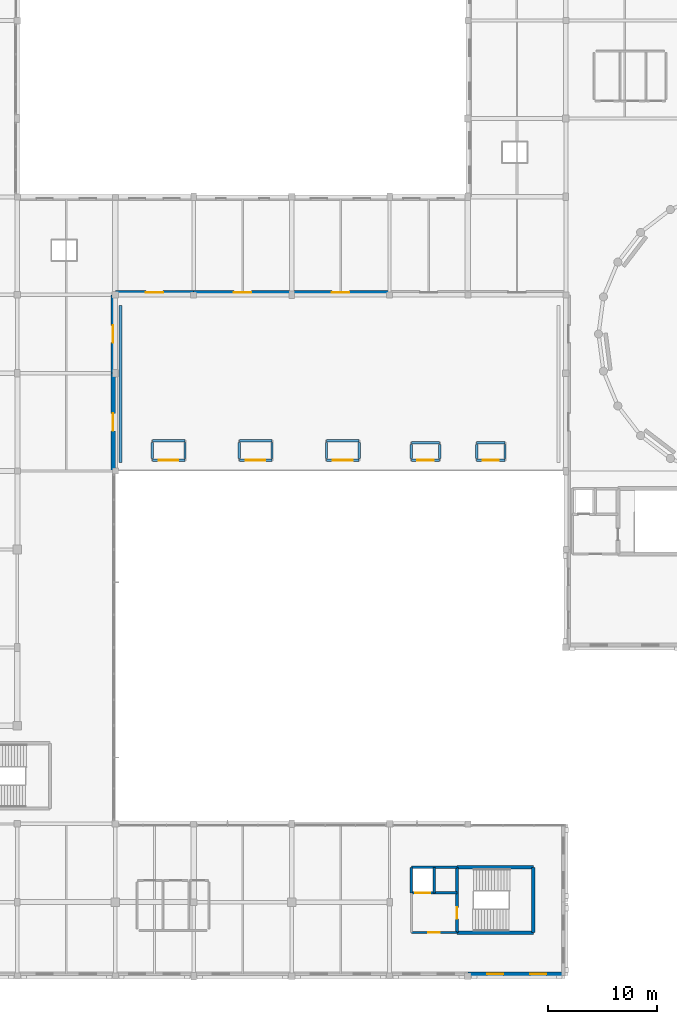
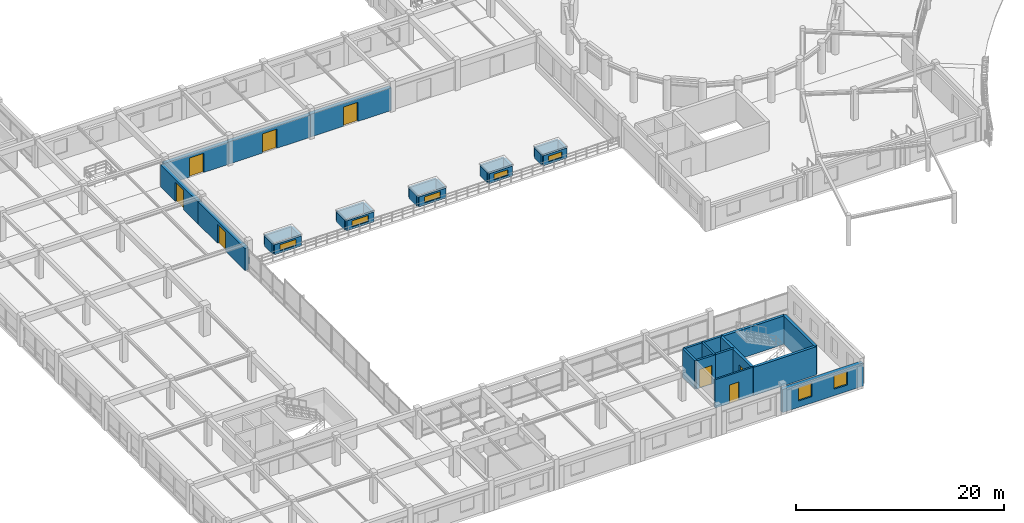
# One storey, part 50 of 74: 37 walls, 8 doors, 7 windows, 15 openings.
"""IFC4 building model written with IfcOpenShell, lengths in metres."""

from ifc_helpers import new_model, si_unit, direction, frame, frame_2d, origin, place, context, subcontext, project, spatial, rectangle, extrude, material, layer, layer_set, type_object, element, fill, save


model = new_model("IFC4")

# Units and contexts
model_context = context("Model", 3, precision=1e-05, world=origin(), true_north=direction((0.0, 1.0)))
body_context = subcontext(model_context, "Body", "Model", "MODEL_VIEW")
ifc_project = project(units=[si_unit("LENGTHUNIT", "METRE"), si_unit("AREAUNIT", "SQUARE_METRE"), si_unit("VOLUMEUNIT", "CUBIC_METRE"), si_unit("PLANEANGLEUNIT", "RADIAN"), si_unit("MASSUNIT", "GRAM", prefix="KILO")], contexts=[model_context])

# Site, building, storey
site_placement = place(None, origin())
site = spatial("IfcSite", under=ifc_project, at=site_placement, CompositionType="ELEMENT")
building_placement = place(site_placement, origin())
building = spatial("IfcBuilding", under=site, at=building_placement, Name="Clarverna Civic Hall", CompositionType="ELEMENT")
storey_placement = place(building_placement, frame((0.0, 0.0, 9.60009765625)))
storey = spatial("IfcBuildingStorey", under=building, at=storey_placement, Name="L02", CompositionType="ELEMENT", Elevation=9.60009765625)

# Wall, opening, door
ifc_material_1 = material(Name="Montjuic Limestone Ashlar Cladding", Category="masonry")
ifc_layer_1 = layer(ifc_material_1, 0.39990234375)
ifc_layer_set_1 = layer_set([ifc_layer_1], Name="Montjuic Limestone Ashlar Cladding")
wall_type_1 = type_object("IfcWallType", Name="EW-02", PredefinedType="SOLIDWALL", material=ifc_layer_set_1)
wall_1_placement = place(storey_placement, frame((50.39990234375, 62.800048828125, 0.0), z_axis=(0.0, 0.0, 1.0), x_axis=(-1.0, 0.0, 0.0)))
wall_1 = element("IfcWall", 1, at=wall_1_placement, inside=storey, type_object=wall_type_1, Name="EW-02-124", PredefinedType="SOLIDWALL", context=body_context, shape_type="SweptSolid", body=[
    extrude(rectangle(XDim=9.0, YDim=0.39990234375, at=frame_2d((4.5, 0.0))), origin(), (0.0, 0.0, 1.0), 2.679931640625),
])
opening_1_placement = place(wall_1_placement, frame((3.699951171875, 0.0, 0.0)))
opening_1 = element("IfcOpeningElement", 2, at=opening_1_placement, cuts=wall_1, Name="Opening ED-04", PredefinedType="OPENING", context=body_context, shape_type="SweptSolid", body=[
    extrude(rectangle(XDim=1.60009765625, YDim=2.25, at=frame_2d((0.800048828125, 1.125))), frame((0.0, 0.2099609375, 0.0), z_axis=(0.0, -1.0, 0.0), x_axis=(1.0, 0.0, 0.0)), (0.0, 0.0, 1.0), 0.419921875),
])
ifc_material_2 = material(Name="Anodised Bronze Glazed Door")
door_type_1 = type_object("IfcDoorType", Name="ED-04", OperationType="DOUBLE_DOOR_SINGLE_SWING", PredefinedType="DOOR", material=ifc_material_2)
door_1_placement = place(opening_1_placement, origin())
door_1 = element("IfcDoor", 3, at=door_1_placement, inside=storey, type_object=door_type_1, Name="ED-04-024", OperationType="DOUBLE_DOOR_SINGLE_SWING", OverallHeight=2.25, OverallWidth=1.60009765625, PredefinedType="DOOR", context=body_context, shape_type="SweptSolid", body=[
    extrude(rectangle(XDim=1.60009765625, YDim=2.25, at=frame_2d((0.800048828125, 1.125))), frame((0.0, 0.02490234375, 0.0), z_axis=(0.0, -1.0, 0.0), x_axis=(1.0, 0.0, 0.0)), (0.0, 0.0, 1.0), 0.050048828125),
])
fill(opening_1, door_1)

wall_2_placement = place(storey_placement, frame((41.39990234375, 62.800048828125, 0.0), z_axis=(0.0, 0.0, 1.0), x_axis=(-1.0, 0.0, 0.0)))
wall_2 = element("IfcWall", 4, at=wall_2_placement, inside=storey, type_object=wall_type_1, Name="EW-02-125", PredefinedType="SOLIDWALL", context=body_context, shape_type="SweptSolid", body=[
    extrude(rectangle(XDim=9.0, YDim=0.39990234375, at=frame_2d((4.5, 0.0))), origin(), (0.0, 0.0, 1.0), 2.619873046875),
])
opening_2_placement = place(wall_2_placement, frame((3.699951171875, 0.0, 0.0)))
opening_2 = element("IfcOpeningElement", 5, at=opening_2_placement, cuts=wall_2, Name="Opening ED-04", PredefinedType="OPENING", context=body_context, shape_type="SweptSolid", body=[
    extrude(rectangle(XDim=1.60009765625, YDim=2.25, at=frame_2d((0.800048828125, 1.125))), frame((0.0, 0.2099609375, 0.0), z_axis=(0.0, -1.0, 0.0), x_axis=(1.0, 0.0, 0.0)), (0.0, 0.0, 1.0), 0.419921875),
])
door_2_placement = place(opening_2_placement, origin())
door_2 = element("IfcDoor", 6, at=door_2_placement, inside=storey, type_object=door_type_1, Name="ED-04-025", OperationType="DOUBLE_DOOR_SINGLE_SWING", OverallHeight=2.25, OverallWidth=1.60009765625, PredefinedType="DOOR", context=body_context, shape_type="SweptSolid", body=[
    extrude(rectangle(XDim=1.60009765625, YDim=2.25, at=frame_2d((0.800048828125, 1.125))), frame((0.0, 0.02490234375, 0.0), z_axis=(0.0, -1.0, 0.0), x_axis=(1.0, 0.0, 0.0)), (0.0, 0.0, 1.0), 0.050048828125),
])
fill(opening_2, door_2)

wall_3_placement = place(storey_placement, frame((32.39990234375, 62.800048828125, 0.0), z_axis=(0.0, 0.0, 1.0), x_axis=(-1.0, 0.0, 0.0)))
wall_3 = element("IfcWall", 7, at=wall_3_placement, inside=storey, type_object=wall_type_1, Name="EW-02-126", PredefinedType="SOLIDWALL", context=body_context, shape_type="SweptSolid", body=[
    extrude(rectangle(XDim=7.199951171875, YDim=0.39990234375, at=frame_2d((3.60009765625, 0.0))), origin(), (0.0, 0.0, 1.0), 2.58984375),
])
opening_3_placement = place(wall_3_placement, frame((2.800048828125, 0.0, 0.0)))
opening_3 = element("IfcOpeningElement", 8, at=opening_3_placement, cuts=wall_3, Name="Opening ED-04", PredefinedType="OPENING", context=body_context, shape_type="SweptSolid", body=[
    extrude(rectangle(XDim=1.60009765625, YDim=2.25, at=frame_2d((0.800048828125, 1.125))), frame((0.0, 0.2099609375, 0.0), z_axis=(0.0, -1.0, 0.0), x_axis=(1.0, 0.0, 0.0)), (0.0, 0.0, 1.0), 0.419921875),
])
door_3_placement = place(opening_3_placement, origin())
door_3 = element("IfcDoor", 9, at=door_3_placement, inside=storey, type_object=door_type_1, Name="ED-04-026", OperationType="DOUBLE_DOOR_SINGLE_SWING", OverallHeight=2.25, OverallWidth=1.60009765625, PredefinedType="DOOR", context=body_context, shape_type="SweptSolid", body=[
    extrude(rectangle(XDim=1.60009765625, YDim=2.25, at=frame_2d((0.800048828125, 1.125))), frame((0.0, 0.02490234375, 0.0), z_axis=(0.0, -1.0, 0.0), x_axis=(1.0, 0.0, 0.0)), (0.0, 0.0, 1.0), 0.050048828125),
])
fill(opening_3, door_3)

wall_4_placement = place(storey_placement, frame((25.0, 62.60009765625, 0.0), z_axis=(0.0, 0.0, 1.0), x_axis=(0.0, -1.0, 0.0)))
wall_4 = element("IfcWall", 10, at=wall_4_placement, inside=storey, type_object=wall_type_1, Name="EW-02-127", PredefinedType="SOLIDWALL", context=body_context, shape_type="SweptSolid", body=[
    extrude(rectangle(XDim=7.2001953125, YDim=0.39990234375, at=frame_2d((3.60009765625, 0.0))), origin(), (0.0, 0.0, 1.0), 2.58984375),
])
opening_4_placement = place(wall_4_placement, frame((2.800048828125, 0.0, 0.0)))
opening_4 = element("IfcOpeningElement", 11, at=opening_4_placement, cuts=wall_4, Name="Opening ED-04", PredefinedType="OPENING", context=body_context, shape_type="SweptSolid", body=[
    extrude(rectangle(XDim=1.60009765625, YDim=2.25, at=frame_2d((0.800048828125, 1.125))), frame((0.0, 0.2099609375, 0.0), z_axis=(0.0, -1.0, 0.0), x_axis=(1.0, 0.0, 0.0)), (0.0, 0.0, 1.0), 0.419921875),
])
door_4_placement = place(opening_4_placement, origin())
door_4 = element("IfcDoor", 12, at=door_4_placement, inside=storey, type_object=door_type_1, Name="ED-04-027", OperationType="DOUBLE_DOOR_SINGLE_SWING", OverallHeight=2.25, OverallWidth=1.60009765625, PredefinedType="DOOR", context=body_context, shape_type="SweptSolid", body=[
    extrude(rectangle(XDim=1.60009765625, YDim=2.25, at=frame_2d((0.800048828125, 1.125))), frame((0.0, 0.02490234375, 0.0), z_axis=(0.0, -1.0, 0.0), x_axis=(1.0, 0.0, 0.0)), (0.0, 0.0, 1.0), 0.050048828125),
])
fill(opening_4, door_4)

wall_5_placement = place(storey_placement, frame((25.0, 55.39990234375, 0.0), z_axis=(0.0, 0.0, 1.0), x_axis=(0.0, -1.0, 0.0)))
wall_5 = element("IfcWall", 13, at=wall_5_placement, inside=storey, type_object=wall_type_1, Name="EW-02-128", PredefinedType="SOLIDWALL", context=body_context, shape_type="SweptSolid", body=[
    extrude(rectangle(XDim=9.0, YDim=0.39990234375, at=frame_2d((4.5, 0.0))), origin(), (0.0, 0.0, 1.0), 2.599853515625),
])
opening_5_placement = place(wall_5_placement, frame((3.699951171875, 0.0, 0.0)))
opening_5 = element("IfcOpeningElement", 14, at=opening_5_placement, cuts=wall_5, Name="Opening ED-04", PredefinedType="OPENING", context=body_context, shape_type="SweptSolid", body=[
    extrude(rectangle(XDim=1.60009765625, YDim=2.25, at=frame_2d((0.800048828125, 1.125))), frame((0.0, 0.2099609375, 0.0), z_axis=(0.0, -1.0, 0.0), x_axis=(1.0, 0.0, 0.0)), (0.0, 0.0, 1.0), 0.419921875),
])
door_5_placement = place(opening_5_placement, origin())
door_5 = element("IfcDoor", 15, at=door_5_placement, inside=storey, type_object=door_type_1, Name="ED-04-028", OperationType="DOUBLE_DOOR_SINGLE_SWING", OverallHeight=2.25, OverallWidth=1.60009765625, PredefinedType="DOOR", context=body_context, shape_type="SweptSolid", body=[
    extrude(rectangle(XDim=1.60009765625, YDim=2.25, at=frame_2d((0.800048828125, 1.125))), frame((0.0, 0.02490234375, 0.0), z_axis=(0.0, -1.0, 0.0), x_axis=(1.0, 0.0, 0.0)), (0.0, 0.0, 1.0), 0.050048828125),
])
fill(opening_5, door_5)

# Wall, openings, windows
wall_6_placement = place(storey_placement, frame((66.574951171875, 0.199951171875, 0.0), z_axis=(0.0, 0.0, 1.0), x_axis=(-1.0, 0.0, 0.0)))
wall_6 = element("IfcWall", 16, at=wall_6_placement, inside=storey, type_object=wall_type_1, Name="EW-02-131", PredefinedType="SOLIDWALL", context=body_context, shape_type="SweptSolid", body=[
    extrude(rectangle(XDim=8.974853515625, YDim=0.39990234375, at=frame_2d((4.4873046875, 0.0))), origin(), (0.0, 0.0, 1.0), 2.699951171875),
])
opening_6_placement = place(wall_6_placement, frame((1.762939453125, 0.0, 0.75)))
opening_6 = element("IfcOpeningElement", 17, at=opening_6_placement, cuts=wall_6, Name="Opening WN-14", PredefinedType="OPENING", context=body_context, shape_type="SweptSolid", body=[
    extrude(rectangle(XDim=1.5, YDim=1.60009765625, at=frame_2d((0.75, 0.800048828125))), frame((0.0, 0.2099609375, 0.0), z_axis=(0.0, -1.0, 0.0), x_axis=(1.0, 0.0, 0.0)), (0.0, 0.0, 1.0), 0.419921875),
])
opening_7_placement = place(wall_6_placement, frame((5.7119140625, 0.0, 0.75)))
opening_7 = element("IfcOpeningElement", 18, at=opening_7_placement, cuts=wall_6, Name="Opening WN-14", PredefinedType="OPENING", context=body_context, shape_type="SweptSolid", body=[
    extrude(rectangle(XDim=1.5, YDim=1.60009765625, at=frame_2d((0.75, 0.800048828125))), frame((0.0, 0.2099609375, 0.0), z_axis=(0.0, -1.0, 0.0), x_axis=(1.0, 0.0, 0.0)), (0.0, 0.0, 1.0), 0.419921875),
])
ifc_material_3 = material(Name="Solar-Control Argon Low-E Double Glazing", Category="glass")
window_type_1 = type_object("IfcWindowType", Name="WN-14", PartitioningType="DOUBLE_PANEL_HORIZONTAL", PredefinedType="WINDOW", material=ifc_material_3)
window_1_placement = place(opening_6_placement, origin())
window_1 = element("IfcWindow", 19, at=window_1_placement, inside=storey, type_object=window_type_1, Name="WN-14-080", OverallHeight=1.60009765625, OverallWidth=1.5, PartitioningType="DOUBLE_PANEL_HORIZONTAL", PredefinedType="WINDOW", context=body_context, shape_type="SweptSolid", body=[
    extrude(rectangle(XDim=1.5, YDim=1.60009765625, at=frame_2d((0.75, 0.800048828125))), frame((0.0, 0.030029296875, 0.0), z_axis=(0.0, -1.0, 0.0), x_axis=(1.0, 0.0, 0.0)), (0.0, 0.0, 1.0), 0.06005859375),
])
fill(opening_6, window_1)
window_2_placement = place(opening_7_placement, origin())
window_2 = element("IfcWindow", 20, at=window_2_placement, inside=storey, type_object=window_type_1, Name="WN-14-081", OverallHeight=1.60009765625, OverallWidth=1.5, PartitioningType="DOUBLE_PANEL_HORIZONTAL", PredefinedType="WINDOW", context=body_context, shape_type="SweptSolid", body=[
    extrude(rectangle(XDim=1.5, YDim=1.60009765625, at=frame_2d((0.75, 0.800048828125))), frame((0.0, 0.030029296875, 0.0), z_axis=(0.0, -1.0, 0.0), x_axis=(1.0, 0.0, 0.0)), (0.0, 0.0, 1.0), 0.06005859375),
])
fill(opening_7, window_2)

# Wall, opening, window
ifc_material_4 = material(Name="Precast concrete C40/50", Category="concrete")
ifc_layer_2 = layer(ifc_material_4, 0.320068359375)
ifc_layer_set_2 = layer_set([ifc_layer_2], Name="Precast concrete C40/50")
wall_type_2 = type_object("IfcWallType", Name="EW-04", PredefinedType="SOLIDWALL", material=ifc_layer_set_2)
wall_7_placement = place(storey_placement, frame((28.60009765625, 47.39990234375, -0.02001953125), z_axis=(0.0, 0.0, 1.0), x_axis=(1.0, 0.0, 0.0)))
wall_7 = element("IfcWall", 21, at=wall_7_placement, inside=storey, type_object=wall_type_2, Name="EW-04-031", PredefinedType="SOLIDWALL", context=body_context, shape_type="SweptSolid", body=[
    extrude(rectangle(XDim=3.0, YDim=0.219970703125, at=frame_2d((1.5, 0.0))), origin(), (0.0, 0.0, 1.0), 1.179931640625),
])
opening_8_placement = place(wall_7_placement, frame((0.60009765625, 0.0, 0.280029296875)))
opening_8 = element("IfcOpeningElement", 22, at=opening_8_placement, cuts=wall_7, Name="Opening SK-02", PredefinedType="OPENING", context=body_context, shape_type="SweptSolid", body=[
    extrude(rectangle(XDim=1.800048828125, YDim=0.699951171875, at=frame_2d((0.89990234375, 0.35009765625))), frame((0.0, 0.119873046875, 0.0), z_axis=(0.0, -1.0, 0.0), x_axis=(1.0, 0.0, 0.0)), (0.0, 0.0, 1.0), 0.239990234375),
])
window_type_2 = type_object("IfcWindowType", Name="SK-02", PartitioningType="DOUBLE_PANEL_HORIZONTAL", PredefinedType="SKYLIGHT", material=ifc_material_3)
window_3_placement = place(opening_8_placement, origin())
window_3 = element("IfcWindow", 23, at=window_3_placement, inside=storey, type_object=window_type_2, Name="SK-02-001", OverallHeight=0.699951171875, OverallWidth=1.800048828125, PartitioningType="DOUBLE_PANEL_HORIZONTAL", PredefinedType="SKYLIGHT", context=body_context, shape_type="SweptSolid", body=[
    extrude(rectangle(XDim=1.800048828125, YDim=0.699951171875, at=frame_2d((0.89990234375, 0.35009765625))), frame((0.0, 0.030029296875, 0.0), z_axis=(0.0, -1.0, 0.0), x_axis=(1.0, 0.0, 0.0)), (0.0, 0.0, 1.0), 0.06005859375),
])
fill(opening_8, window_3)

# Walls
wall_8_placement = place(storey_placement, frame((28.60009765625, 49.199951171875, -0.02001953125), z_axis=(0.0, 0.0, 1.0), x_axis=(1.0, 0.0, 0.0)))
element("IfcWall", 24, at=wall_8_placement, inside=storey, type_object=wall_type_2, Name="EW-04-032", PredefinedType="SOLIDWALL", context=body_context, shape_type="SweptSolid", body=[
    extrude(rectangle(XDim=3.0, YDim=0.219970703125, at=frame_2d((1.5, 0.0))), origin(), (0.0, 0.0, 1.0), 1.179931640625),
])
for number, where, z_axis, x_axis, name in (
    (25, (28.60009765625, 47.56005859375, -0.02001953125), (0.0, 0.0, 1.0), (0.0, 1.0, 0.0), "EW-04-033"),
    (26, (31.60009765625, 47.56005859375, -0.02001953125), (0.0, 0.0, 1.0), (0.0, 1.0, 0.0), "EW-04-034"),
):
    element("IfcWall", number, at=place(storey_placement, frame(where, z_axis=z_axis, x_axis=x_axis)), inside=storey, type_object=wall_type_2, Name=name, PredefinedType="SOLIDWALL", context=body_context, shape_type="SweptSolid", body=[
        extrude(rectangle(XDim=1.47998046875, YDim=0.219970703125, at=frame_2d((0.739990234375, 0.0))), origin(), (0.0, 0.0, 1.0), 1.179931640625),
    ])

# Wall, opening, window
wall_9_placement = place(storey_placement, frame((36.60009765625, 47.39990234375, -0.02001953125), z_axis=(0.0, 0.0, 1.0), x_axis=(1.0, 0.0, 0.0)))
wall_9 = element("IfcWall", 27, at=wall_9_placement, inside=storey, type_object=wall_type_2, Name="EW-04-035", PredefinedType="SOLIDWALL", context=body_context, shape_type="SweptSolid", body=[
    extrude(rectangle(XDim=3.0, YDim=0.219970703125, at=frame_2d((1.5, 0.0))), origin(), (0.0, 0.0, 1.0), 1.179931640625),
])
opening_9_placement = place(wall_9_placement, frame((0.60009765625, 0.0, 0.280029296875)))
opening_9 = element("IfcOpeningElement", 28, at=opening_9_placement, cuts=wall_9, Name="Opening SK-02", PredefinedType="OPENING", context=body_context, shape_type="SweptSolid", body=[
    extrude(rectangle(XDim=1.800048828125, YDim=0.699951171875, at=frame_2d((0.89990234375, 0.35009765625))), frame((0.0, 0.119873046875, 0.0), z_axis=(0.0, -1.0, 0.0), x_axis=(1.0, 0.0, 0.0)), (0.0, 0.0, 1.0), 0.239990234375),
])
window_4_placement = place(opening_9_placement, origin())
window_4 = element("IfcWindow", 29, at=window_4_placement, inside=storey, type_object=window_type_2, Name="SK-02-002", OverallHeight=0.699951171875, OverallWidth=1.800048828125, PartitioningType="DOUBLE_PANEL_HORIZONTAL", PredefinedType="SKYLIGHT", context=body_context, shape_type="SweptSolid", body=[
    extrude(rectangle(XDim=1.800048828125, YDim=0.699951171875, at=frame_2d((0.89990234375, 0.35009765625))), frame((0.0, 0.030029296875, 0.0), z_axis=(0.0, -1.0, 0.0), x_axis=(1.0, 0.0, 0.0)), (0.0, 0.0, 1.0), 0.06005859375),
])
fill(opening_9, window_4)

# Walls
wall_10_placement = place(storey_placement, frame((36.60009765625, 49.199951171875, -0.02001953125), z_axis=(0.0, 0.0, 1.0), x_axis=(1.0, 0.0, 0.0)))
element("IfcWall", 30, at=wall_10_placement, inside=storey, type_object=wall_type_2, Name="EW-04-036", PredefinedType="SOLIDWALL", context=body_context, shape_type="SweptSolid", body=[
    extrude(rectangle(XDim=3.0, YDim=0.219970703125, at=frame_2d((1.5, 0.0))), origin(), (0.0, 0.0, 1.0), 1.179931640625),
])
for number, where, z_axis, x_axis, name in (
    (31, (36.60009765625, 47.56005859375, -0.02001953125), (0.0, 0.0, 1.0), (0.0, 1.0, 0.0), "EW-04-037"),
    (32, (39.60009765625, 47.56005859375, -0.02001953125), (0.0, 0.0, 1.0), (0.0, 1.0, 0.0), "EW-04-038"),
):
    element("IfcWall", number, at=place(storey_placement, frame(where, z_axis=z_axis, x_axis=x_axis)), inside=storey, type_object=wall_type_2, Name=name, PredefinedType="SOLIDWALL", context=body_context, shape_type="SweptSolid", body=[
        extrude(rectangle(XDim=1.47998046875, YDim=0.219970703125, at=frame_2d((0.739990234375, 0.0))), origin(), (0.0, 0.0, 1.0), 1.179931640625),
    ])

# Wall, opening, window
wall_11_placement = place(storey_placement, frame((44.60009765625, 47.39990234375, -0.02001953125), z_axis=(0.0, 0.0, 1.0), x_axis=(1.0, 0.0, 0.0)))
wall_11 = element("IfcWall", 33, at=wall_11_placement, inside=storey, type_object=wall_type_2, Name="EW-04-039", PredefinedType="SOLIDWALL", context=body_context, shape_type="SweptSolid", body=[
    extrude(rectangle(XDim=3.0, YDim=0.219970703125, at=frame_2d((1.5, 0.0))), origin(), (0.0, 0.0, 1.0), 1.179931640625),
])
opening_10_placement = place(wall_11_placement, frame((0.60009765625, 0.0, 0.280029296875)))
opening_10 = element("IfcOpeningElement", 34, at=opening_10_placement, cuts=wall_11, Name="Opening SK-02", PredefinedType="OPENING", context=body_context, shape_type="SweptSolid", body=[
    extrude(rectangle(XDim=1.800048828125, YDim=0.699951171875, at=frame_2d((0.89990234375, 0.35009765625))), frame((0.0, 0.119873046875, 0.0), z_axis=(0.0, -1.0, 0.0), x_axis=(1.0, 0.0, 0.0)), (0.0, 0.0, 1.0), 0.239990234375),
])
window_5_placement = place(opening_10_placement, origin())
window_5 = element("IfcWindow", 35, at=window_5_placement, inside=storey, type_object=window_type_2, Name="SK-02-003", OverallHeight=0.699951171875, OverallWidth=1.800048828125, PartitioningType="DOUBLE_PANEL_HORIZONTAL", PredefinedType="SKYLIGHT", context=body_context, shape_type="SweptSolid", body=[
    extrude(rectangle(XDim=1.800048828125, YDim=0.699951171875, at=frame_2d((0.89990234375, 0.35009765625))), frame((0.0, 0.030029296875, 0.0), z_axis=(0.0, -1.0, 0.0), x_axis=(1.0, 0.0, 0.0)), (0.0, 0.0, 1.0), 0.06005859375),
])
fill(opening_10, window_5)

# Walls
wall_12_placement = place(storey_placement, frame((44.60009765625, 49.199951171875, -0.02001953125), z_axis=(0.0, 0.0, 1.0), x_axis=(1.0, 0.0, 0.0)))
element("IfcWall", 36, at=wall_12_placement, inside=storey, type_object=wall_type_2, Name="EW-04-040", PredefinedType="SOLIDWALL", context=body_context, shape_type="SweptSolid", body=[
    extrude(rectangle(XDim=3.0, YDim=0.219970703125, at=frame_2d((1.5, 0.0))), origin(), (0.0, 0.0, 1.0), 1.179931640625),
])
for number, where, z_axis, x_axis, name in (
    (37, (44.60009765625, 47.56005859375, -0.02001953125), (0.0, 0.0, 1.0), (0.0, 1.0, 0.0), "EW-04-041"),
    (38, (47.60009765625, 47.56005859375, -0.02001953125), (0.0, 0.0, 1.0), (0.0, 1.0, 0.0), "EW-04-042"),
):
    element("IfcWall", number, at=place(storey_placement, frame(where, z_axis=z_axis, x_axis=x_axis)), inside=storey, type_object=wall_type_2, Name=name, PredefinedType="SOLIDWALL", context=body_context, shape_type="SweptSolid", body=[
        extrude(rectangle(XDim=1.47998046875, YDim=0.219970703125, at=frame_2d((0.739990234375, 0.0))), origin(), (0.0, 0.0, 1.0), 1.179931640625),
    ])

# Wall, opening, window
wall_13_placement = place(storey_placement, frame((52.39990234375, 47.39990234375, -0.02001953125), z_axis=(0.0, 0.0, 1.0), x_axis=(1.0, 0.0, 0.0)))
wall_13 = element("IfcWall", 39, at=wall_13_placement, inside=storey, type_object=wall_type_2, Name="EW-04-043", PredefinedType="SOLIDWALL", context=body_context, shape_type="SweptSolid", body=[
    extrude(rectangle(XDim=2.60009765625, YDim=0.219970703125, at=frame_2d((1.300048828125, 0.0))), origin(), (0.0, 0.0, 1.0), 1.179931640625),
])
opening_11_placement = place(wall_13_placement, frame((0.550048828125, 0.0, 0.280029296875)))
opening_11 = element("IfcOpeningElement", 40, at=opening_11_placement, cuts=wall_13, Name="Opening SK-03", PredefinedType="OPENING", context=body_context, shape_type="SweptSolid", body=[
    extrude(rectangle(XDim=1.5, YDim=0.64990234375, at=frame_2d((0.75, 0.324951171875))), frame((0.0, 0.119873046875, 0.0), z_axis=(0.0, -1.0, 0.0), x_axis=(1.0, 0.0, 0.0)), (0.0, 0.0, 1.0), 0.239990234375),
])
window_type_3 = type_object("IfcWindowType", Name="SK-03", PartitioningType="SINGLE_PANEL", PredefinedType="SKYLIGHT", material=ifc_material_3)
window_6_placement = place(opening_11_placement, origin())
window_6 = element("IfcWindow", 41, at=window_6_placement, inside=storey, type_object=window_type_3, Name="SK-03-001", OverallHeight=0.64990234375, OverallWidth=1.5, PartitioningType="SINGLE_PANEL", PredefinedType="SKYLIGHT", context=body_context, shape_type="SweptSolid", body=[
    extrude(rectangle(XDim=1.5, YDim=0.64990234375, at=frame_2d((0.75, 0.324951171875))), frame((0.0, 0.030029296875, 0.0), z_axis=(0.0, -1.0, 0.0), x_axis=(1.0, 0.0, 0.0)), (0.0, 0.0, 1.0), 0.06005859375),
])
fill(opening_11, window_6)

# Walls
wall_14_placement = place(storey_placement, frame((52.39990234375, 49.0, -0.02001953125), z_axis=(0.0, 0.0, 1.0), x_axis=(1.0, 0.0, 0.0)))
element("IfcWall", 42, at=wall_14_placement, inside=storey, type_object=wall_type_2, Name="EW-04-044", PredefinedType="SOLIDWALL", context=body_context, shape_type="SweptSolid", body=[
    extrude(rectangle(XDim=2.60009765625, YDim=0.219970703125, at=frame_2d((1.300048828125, 0.0))), origin(), (0.0, 0.0, 1.0), 1.179931640625),
])
for number, where, z_axis, x_axis, name in (
    (43, (52.39990234375, 47.56005859375, -0.02001953125), (0.0, 0.0, 1.0), (0.0, 1.0, 0.0), "EW-04-045"),
    (44, (55.0, 47.56005859375, -0.02001953125), (0.0, 0.0, 1.0), (0.0, 1.0, 0.0), "EW-04-046"),
):
    element("IfcWall", number, at=place(storey_placement, frame(where, z_axis=z_axis, x_axis=x_axis)), inside=storey, type_object=wall_type_2, Name=name, PredefinedType="SOLIDWALL", context=body_context, shape_type="SweptSolid", body=[
        extrude(rectangle(XDim=1.280029296875, YDim=0.219970703125, at=frame_2d((0.64013671875, 0.0))), origin(), (0.0, 0.0, 1.0), 1.179931640625),
    ])

# Wall, opening, window
wall_15_placement = place(storey_placement, frame((58.39990234375, 47.39990234375, -0.02001953125), z_axis=(0.0, 0.0, 1.0), x_axis=(1.0, 0.0, 0.0)))
wall_15 = element("IfcWall", 45, at=wall_15_placement, inside=storey, type_object=wall_type_2, Name="EW-04-047", PredefinedType="SOLIDWALL", context=body_context, shape_type="SweptSolid", body=[
    extrude(rectangle(XDim=2.60009765625, YDim=0.219970703125, at=frame_2d((1.300048828125, 0.0))), origin(), (0.0, 0.0, 1.0), 1.179931640625),
])
opening_12_placement = place(wall_15_placement, frame((0.550048828125, 0.0, 0.280029296875)))
opening_12 = element("IfcOpeningElement", 46, at=opening_12_placement, cuts=wall_15, Name="Opening SK-03", PredefinedType="OPENING", context=body_context, shape_type="SweptSolid", body=[
    extrude(rectangle(XDim=1.5, YDim=0.64990234375, at=frame_2d((0.75, 0.324951171875))), frame((0.0, 0.119873046875, 0.0), z_axis=(0.0, -1.0, 0.0), x_axis=(1.0, 0.0, 0.0)), (0.0, 0.0, 1.0), 0.239990234375),
])
window_7_placement = place(opening_12_placement, origin())
window_7 = element("IfcWindow", 47, at=window_7_placement, inside=storey, type_object=window_type_3, Name="SK-03-002", OverallHeight=0.64990234375, OverallWidth=1.5, PartitioningType="SINGLE_PANEL", PredefinedType="SKYLIGHT", context=body_context, shape_type="SweptSolid", body=[
    extrude(rectangle(XDim=1.5, YDim=0.64990234375, at=frame_2d((0.75, 0.324951171875))), frame((0.0, 0.030029296875, 0.0), z_axis=(0.0, -1.0, 0.0), x_axis=(1.0, 0.0, 0.0)), (0.0, 0.0, 1.0), 0.06005859375),
])
fill(opening_12, window_7)

# Walls
wall_16_placement = place(storey_placement, frame((58.39990234375, 49.0, -0.02001953125), z_axis=(0.0, 0.0, 1.0), x_axis=(1.0, 0.0, 0.0)))
element("IfcWall", 48, at=wall_16_placement, inside=storey, type_object=wall_type_2, Name="EW-04-048", PredefinedType="SOLIDWALL", context=body_context, shape_type="SweptSolid", body=[
    extrude(rectangle(XDim=2.60009765625, YDim=0.219970703125, at=frame_2d((1.300048828125, 0.0))), origin(), (0.0, 0.0, 1.0), 1.179931640625),
])
for number, where, z_axis, x_axis, name in (
    (49, (58.39990234375, 47.56005859375, -0.02001953125), (0.0, 0.0, 1.0), (0.0, 1.0, 0.0), "EW-04-049"),
    (50, (61.0, 47.56005859375, -0.02001953125), (0.0, 0.0, 1.0), (0.0, 1.0, 0.0), "EW-04-050"),
):
    element("IfcWall", number, at=place(storey_placement, frame(where, z_axis=z_axis, x_axis=x_axis)), inside=storey, type_object=wall_type_2, Name=name, PredefinedType="SOLIDWALL", context=body_context, shape_type="SweptSolid", body=[
        extrude(rectangle(XDim=1.280029296875, YDim=0.219970703125, at=frame_2d((0.64013671875, 0.0))), origin(), (0.0, 0.0, 1.0), 1.179931640625),
    ])
ifc_layer_3 = layer(ifc_material_4, 0.239990234375)
ifc_layer_set_3 = layer_set([ifc_layer_3], Name="Precast concrete C40/50")
wall_type_3 = type_object("IfcWallType", Name="PR-01", PredefinedType="PARAPET", material=ifc_layer_set_3)
wall_17_placement = place(storey_placement, frame((25.679931640625, 47.199951171875, -0.02001953125), z_axis=(0.0, 0.0, 1.0), x_axis=(0.0, 1.0, 0.0)))
element("IfcWall", 51, at=wall_17_placement, inside=storey, type_object=wall_type_3, Name="PR-01-153", PredefinedType="PARAPET", context=body_context, shape_type="SweptSolid", body=[
    extrude(rectangle(XDim=14.400146484375, YDim=0.239990234375, at=frame_2d((7.2001953125, 0.0))), origin(), (0.0, 0.0, 1.0), 0.719970703125),
])

# Wall, opening, door
ifc_material_5 = material(Name="Acoustic Gypsum Plasterboard on Twin Frame", Category="gypsum")
ifc_layer_4 = layer(ifc_material_5, 0.18994140625)
ifc_layer_set_4 = layer_set([ifc_layer_4], Name="Acoustic Gypsum Plasterboard on Twin Frame")
wall_type_4 = type_object("IfcWallType", Name="PW-06", PredefinedType="PARTITIONING", material=ifc_layer_set_4)
wall_18_placement = place(storey_placement, frame((52.39990234375, 4.0, 0.0), z_axis=(0.0, 0.0, 1.0), x_axis=(1.0, 0.0, 0.0)))
wall_18 = element("IfcWall", 52, at=wall_18_placement, inside=storey, type_object=wall_type_4, Name="PW-06-076", PredefinedType="PARTITIONING", context=body_context, shape_type="SweptSolid", body=[
    extrude(rectangle(XDim=4.2001953125, YDim=0.18994140625, at=frame_2d((2.10009765625, 0.0))), origin(), (0.0, 0.0, 1.0), 3.31982421875),
])
opening_13_placement = place(wall_18_placement, frame((1.574951171875, 0.0, 0.0)))
opening_13 = element("IfcOpeningElement", 53, at=opening_13_placement, cuts=wall_18, Name="Opening FD-02", PredefinedType="OPENING", context=body_context, shape_type="SweptSolid", body=[
    extrude(rectangle(XDim=1.050048828125, YDim=2.14990234375, at=frame_2d((0.52490234375, 1.074951171875))), frame((0.0, 0.10498046875, 0.0), z_axis=(0.0, -1.0, 0.0), x_axis=(1.0, 0.0, 0.0)), (0.0, 0.0, 1.0), 0.2099609375),
])
ifc_material_6 = material(Name="Acoustic Timber-Faced Fire Door", Category="wood")
door_type_2 = type_object("IfcDoorType", Name="FD-02", OperationType="NOTDEFINED", PredefinedType="DOOR", material=ifc_material_6)
door_6_placement = place(opening_13_placement, origin())
door_6 = element("IfcDoor", 54, at=door_6_placement, inside=storey, type_object=door_type_2, Name="FD-02-070", OperationType="SINGLE_SWING_RIGHT", OverallHeight=2.14990234375, OverallWidth=1.050048828125, PredefinedType="DOOR", context=body_context, shape_type="SweptSolid", body=[
    extrude(rectangle(XDim=1.050048828125, YDim=2.14990234375, at=frame_2d((0.52490234375, 1.074951171875))), frame((0.0, 0.02490234375, 0.0), z_axis=(0.0, -1.0, 0.0), x_axis=(1.0, 0.0, 0.0)), (0.0, 0.0, 1.0), 0.050048828125),
])
fill(opening_13, door_6)

ifc_material_7 = material(Name="Concrete C35/45", Category="concrete")
ifc_layer_5 = layer(ifc_material_7, 0.300048828125)
ifc_layer_set_5 = layer_set([ifc_layer_5], Name="Concrete C35/45")
wall_type_5 = type_object("IfcWallType", Name="SW-03", PredefinedType="SHEAR", material=ifc_layer_set_5)
wall_19_placement = place(storey_placement, frame((56.60009765625, 4.0, 0.0), z_axis=(0.0, 0.0, 1.0), x_axis=(0.0, 1.0, 0.0)))
wall_19 = element("IfcWall", 55, at=wall_19_placement, inside=storey, type_object=wall_type_5, Name="SW-03-082", PredefinedType="SHEAR", context=body_context, shape_type="SweptSolid", body=[
    extrude(rectangle(XDim=6.0, YDim=0.300048828125, at=frame_2d((3.0, 0.0))), origin(), (0.0, 0.0, 1.0), 3.31982421875),
])
opening_14_placement = place(wall_19_placement, frame((1.27490234375, 0.0, 0.0)))
opening_14 = element("IfcOpeningElement", 56, at=opening_14_placement, cuts=wall_19, Name="Opening FD-02", PredefinedType="OPENING", context=body_context, shape_type="SweptSolid", body=[
    extrude(rectangle(XDim=1.050048828125, YDim=2.14990234375, at=frame_2d((0.52490234375, 1.074951171875))), frame((0.0, 0.159912109375, 0.0), z_axis=(0.0, -1.0, 0.0), x_axis=(1.0, 0.0, 0.0)), (0.0, 0.0, 1.0), 0.320068359375),
])
door_7_placement = place(opening_14_placement, origin())
door_7 = element("IfcDoor", 57, at=door_7_placement, inside=storey, type_object=door_type_2, Name="FD-02-069", OperationType="SINGLE_SWING_LEFT", OverallHeight=2.14990234375, OverallWidth=1.050048828125, PredefinedType="DOOR", context=body_context, shape_type="SweptSolid", body=[
    extrude(rectangle(XDim=1.050048828125, YDim=2.14990234375, at=frame_2d((0.52490234375, 1.074951171875))), frame((0.0, 0.02490234375, 0.0), z_axis=(0.0, -1.0, 0.0), x_axis=(1.0, 0.0, 0.0)), (0.0, 0.0, 1.0), 0.050048828125),
])
fill(opening_14, door_7)

# Walls
wall_20_placement = place(storey_placement, frame((63.60009765625, 4.0, 0.0), z_axis=(0.0, 0.0, 1.0), x_axis=(0.0, 1.0, 0.0)))
element("IfcWall", 58, at=wall_20_placement, inside=storey, type_object=wall_type_5, Name="SW-03-083", PredefinedType="SHEAR", context=body_context, shape_type="SweptSolid", body=[
    extrude(rectangle(XDim=6.0, YDim=0.300048828125, at=frame_2d((3.0, 0.0))), origin(), (0.0, 0.0, 1.0), 3.31982421875),
])
for number, where, z_axis, x_axis, name in (
    (59, (56.60009765625, 4.0, 0.0), (0.0, 0.0, 1.0), (1.0, 0.0, 0.0), "SW-03-084"),
    (60, (56.60009765625, 10.0, 0.0), (0.0, 0.0, 1.0), (1.0, 0.0, 0.0), "SW-03-085"),
):
    element("IfcWall", number, at=place(storey_placement, frame(where, z_axis=z_axis, x_axis=x_axis)), inside=storey, type_object=wall_type_5, Name=name, PredefinedType="SHEAR", context=body_context, shape_type="SweptSolid", body=[
        extrude(rectangle(XDim=7.0, YDim=0.300048828125, at=frame_2d((3.5, 0.0))), origin(), (0.0, 0.0, 1.0), 3.31982421875),
    ])
wall_21_placement = place(storey_placement, frame((52.39990234375, 10.0, 0.0), z_axis=(0.0, 0.0, 1.0), x_axis=(1.0, 0.0, 0.0)))
element("IfcWall", 61, at=wall_21_placement, inside=storey, type_object=wall_type_5, Name="SW-03-086", PredefinedType="SHEAR", context=body_context, shape_type="SweptSolid", body=[
    extrude(rectangle(XDim=4.2001953125, YDim=0.239990234375, at=frame_2d((2.10009765625, 0.0))), origin(), (0.0, 0.0, 1.0), 3.31982421875),
])
wall_22_placement = place(storey_placement, frame((52.39990234375, 7.64990234375, 0.0), z_axis=(0.0, 0.0, 1.0), x_axis=(0.0, 1.0, 0.0)))
element("IfcWall", 62, at=wall_22_placement, inside=storey, type_object=wall_type_5, Name="SW-03-087", PredefinedType="SHEAR", context=body_context, shape_type="SweptSolid", body=[
    extrude(rectangle(XDim=2.35009765625, YDim=0.239990234375, at=frame_2d((1.175048828125, 0.0))), origin(), (0.0, 0.0, 1.0), 3.31982421875),
])
wall_23_placement = place(storey_placement, frame((54.5, 7.64990234375, 0.0), z_axis=(0.0, 0.0, 1.0), x_axis=(0.0, 1.0, 0.0)))
element("IfcWall", 63, at=wall_23_placement, inside=storey, type_object=wall_type_5, Name="SW-03-088", PredefinedType="SHEAR", context=body_context, shape_type="SweptSolid", body=[
    extrude(rectangle(XDim=2.35009765625, YDim=0.199951171875, at=frame_2d((1.175048828125, 0.0))), origin(), (0.0, 0.0, 1.0), 3.31982421875),
])

# Wall, opening, door
wall_24_placement = place(storey_placement, frame((52.39990234375, 7.64990234375, 0.0), z_axis=(0.0, 0.0, 1.0), x_axis=(1.0, 0.0, 0.0)))
wall_24 = element("IfcWall", 64, at=wall_24_placement, inside=storey, type_object=wall_type_5, Name="SW-03-089", PredefinedType="SHEAR", context=body_context, shape_type="SweptSolid", body=[
    extrude(rectangle(XDim=2.10009765625, YDim=0.239990234375, at=frame_2d((1.050048828125, 0.0))), origin(), (0.0, 0.0, 1.0), 3.31982421875),
])
opening_15_placement = place(wall_24_placement, frame((0.375, 0.0, 0.0)))
opening_15 = element("IfcOpeningElement", 65, at=opening_15_placement, cuts=wall_24, Name="Opening LD-02", PredefinedType="OPENING", context=body_context, shape_type="SweptSolid", body=[
    extrude(rectangle(XDim=1.35009765625, YDim=2.199951171875, at=frame_2d((0.675048828125, 1.10009765625))), frame((0.0, 0.1298828125, 0.0), z_axis=(0.0, -1.0, 0.0), x_axis=(1.0, 0.0, 0.0)), (0.0, 0.0, 1.0), 0.260009765625),
])
ifc_material_8 = material(Name="Brushed Bronze Stainless Lift Landing Door")
door_type_3 = type_object("IfcDoorType", Name="LD-02", OperationType="SLIDING_TO_RIGHT", PredefinedType="DOOR", material=ifc_material_8)
door_8_placement = place(opening_15_placement, origin())
door_8 = element("IfcDoor", 66, at=door_8_placement, inside=storey, type_object=door_type_3, Name="LD-02-010", OperationType="SLIDING_TO_RIGHT", OverallHeight=2.199951171875, OverallWidth=1.35009765625, PredefinedType="DOOR", context=body_context, shape_type="SweptSolid", body=[
    extrude(rectangle(XDim=1.35009765625, YDim=2.199951171875, at=frame_2d((0.675048828125, 1.10009765625))), frame((0.0, 0.02490234375, 0.0), z_axis=(0.0, -1.0, 0.0), x_axis=(1.0, 0.0, 0.0)), (0.0, 0.0, 1.0), 0.050048828125),
])
fill(opening_15, door_8)

# Wall
wall_25_placement = place(storey_placement, frame((54.5, 7.64990234375, 0.0), z_axis=(0.0, 0.0, 1.0), x_axis=(1.0, 0.0, 0.0)))
element("IfcWall", 67, at=wall_25_placement, inside=storey, type_object=wall_type_5, Name="SW-03-090", PredefinedType="SHEAR", context=body_context, shape_type="SweptSolid", body=[
    extrude(rectangle(XDim=2.10009765625, YDim=0.239990234375, at=frame_2d((1.050048828125, 0.0))), origin(), (0.0, 0.0, 1.0), 3.31982421875),
])

save(model, "model.ifc")
